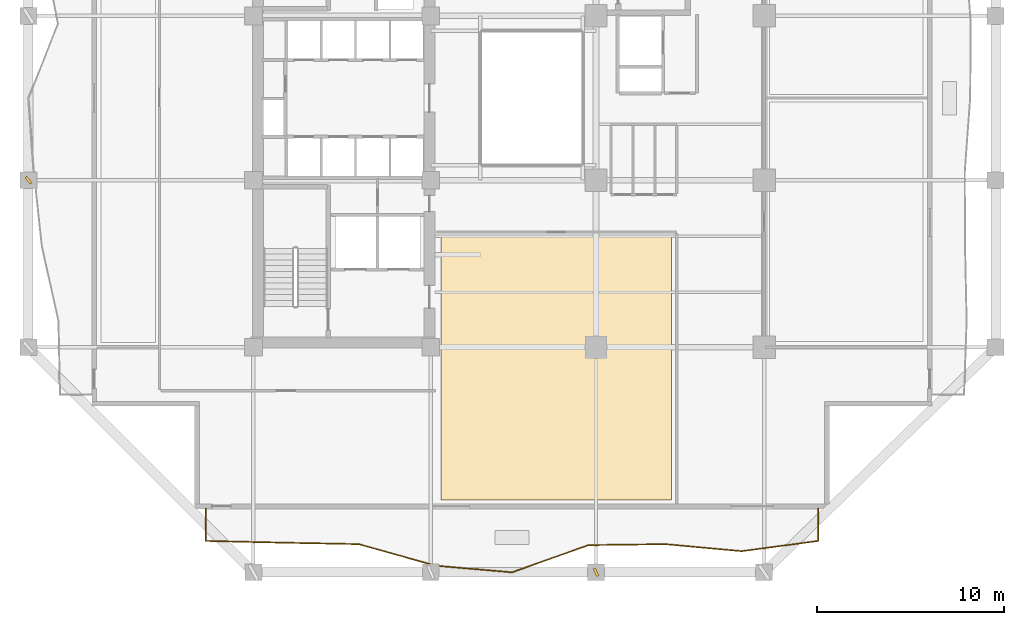
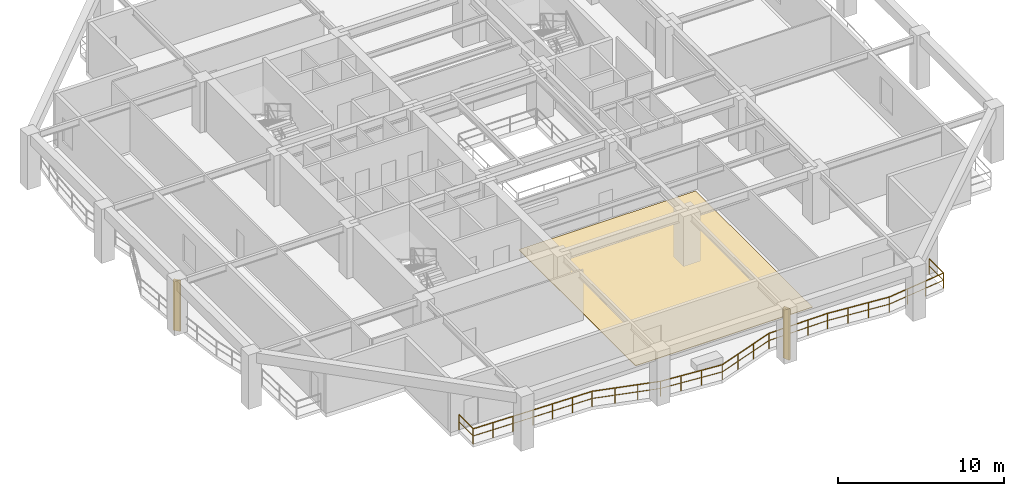
# One storey, part 7 of 13: 2 shading devices, 1 covering, 1 railing.
"""IFC4 building model written with IfcOpenShell, lengths in metres."""

from ifc_helpers import new_model, si_unit, direction, frame, origin, origin_2d, place, context, subcontext, project, spatial, polyline, rectangle, outline, extrude, material, layer, layer_set, type_object, element, save


model = new_model("IFC4")

# Units and contexts
model_context = context("Model", 3, precision=1e-05, world=origin(), true_north=direction((0.0, 1.0)))
body_context = subcontext(model_context, "Body", "Model", "MODEL_VIEW")
ifc_project = project(units=[si_unit("LENGTHUNIT", "METRE"), si_unit("AREAUNIT", "SQUARE_METRE"), si_unit("VOLUMEUNIT", "CUBIC_METRE"), si_unit("PLANEANGLEUNIT", "RADIAN"), si_unit("MASSUNIT", "GRAM", prefix="KILO")], contexts=[model_context])

# Site, building, storey
site_placement = place(None, origin())
site = spatial("IfcSite", under=ifc_project, at=site_placement, CompositionType="ELEMENT")
building_placement = place(site_placement, origin())
building = spatial("IfcBuilding", under=site, at=building_placement, Name="Kundavana Baori Tower", CompositionType="ELEMENT")
storey_placement = place(building_placement, frame((0.0, 0.0, 34.0)))
storey = spatial("IfcBuildingStorey", under=building, at=storey_placement, Name="L07", CompositionType="ELEMENT", Elevation=34.0)

# Covering
ifc_material_1 = material(Name="Honed Kota Stone and Terrazzo Flooring", Category="masonry")
ifc_layer = layer(ifc_material_1, 0.0400390625, Name="COV-FLR-TERR-40")
ifc_layer_set = layer_set([ifc_layer], Name="Honed Kota Stone and Terrazzo Flooring")
covering_type = type_object("IfcCoveringType", Name="COV-FLR-TERR-40", PredefinedType="FLOORING", material=ifc_layer_set)
covering_placement = place(storey_placement, origin())
element("IfcCovering", 1, at=covering_placement, inside=storey, type_object=covering_type, Name="L07 Room Finished Stone Flooring 2", PredefinedType="FLOORING", context=body_context, shape_type="SweptSolid", body=[
    extrude(outline(polyline([(25.5, 7.080078125), (37.840087890625, 7.080078125), (37.840087890625, 21.199951171875), (25.5, 21.199951171875), (25.5, 7.080078125)])), origin(), (0.0, 0.0, 1.0), 0.0400390625),
])

# Railing
ifc_material_2 = material(Name="Architectural Patinated Bronze Metalwork")
railing_type = type_object("IfcRailingType", Name="RL-BAL-1150", PredefinedType="BALUSTRADE", material=ifc_material_2)
railing_placement = place(storey_placement, frame((45.699951171875, 6.60009765625, 0.0)))
element("IfcRailing", 2, at=railing_placement, inside=storey, type_object=railing_type, Name="L07 Loggia Balcony Balustrade S", PredefinedType="BALUSTRADE", context=body_context, shape_type="SweptSolid", body=[
    extrude(rectangle(XDim=0.048095703125, YDim=0.048095703125, at=origin_2d()), frame((0.0, 0.0, 1.1259765625), z_axis=(0.0, -1.0, 0.0), x_axis=(1.0, 0.0, 0.0)), (0.0, 0.0, 1.0), 1.72021484375),
    extrude(rectangle(XDim=0.03125, YDim=0.03125, at=origin_2d()), frame((0.0, 0.0, 0.597900390625), z_axis=(0.0, -1.0, 0.0), x_axis=(1.0, 0.0, 0.0)), (0.0, 0.0, 1.0), 1.72021484375),
    extrude(rectangle(XDim=0.048095703125, YDim=0.048095703125, at=origin_2d()), frame((0.0, -1.72021484375, 1.1259765625), z_axis=(-0.991158691367, -0.132681756577, 0.0), x_axis=(0.132681756577, -0.991158691367, 0.0)), (0.0, 0.0, 1.0), 4.136474609375),
    extrude(rectangle(XDim=0.03125, YDim=0.03125, at=origin_2d()), frame((0.0, -1.72021484375, 0.597900390625), z_axis=(-0.991158691367, -0.132681756577, 0.0), x_axis=(0.132681756577, -0.991158691367, 0.0)), (0.0, 0.0, 1.0), 4.136474609375),
    extrude(rectangle(XDim=0.048095703125, YDim=0.048095703125, at=origin_2d()), frame((-4.099853515625, -2.26904296875, 1.1259765625), z_axis=(-0.995843480493, 0.091081075744, 0.0), x_axis=(-0.091081075744, -0.995843480493, 0.0)), (0.0, 0.0, 1.0), 4.1171875),
    extrude(rectangle(XDim=0.03125, YDim=0.03125, at=origin_2d()), frame((-4.099853515625, -2.26904296875, 0.597900390625), z_axis=(-0.995843480493, 0.091081075744, 0.0), x_axis=(-0.091081075744, -0.995843480493, 0.0)), (0.0, 0.0, 1.0), 4.1171875),
    extrude(rectangle(XDim=0.048095703125, YDim=0.048095703125, at=origin_2d()), frame((-8.199951171875, -1.89404296875, 1.1259765625), z_axis=(-0.999916530695, -0.01292020288, 0.0), x_axis=(0.01292020288, -0.999916530695, 0.0)), (0.0, 0.0, 1.0), 4.100341796875),
    extrude(rectangle(XDim=0.03125, YDim=0.03125, at=origin_2d()), frame((-8.199951171875, -1.89404296875, 0.597900390625), z_axis=(-0.999916530695, -0.01292020288, 0.0), x_axis=(0.01292020288, -0.999916530695, 0.0)), (0.0, 0.0, 1.0), 4.100341796875),
    extrude(rectangle(XDim=0.048095703125, YDim=0.048095703125, at=origin_2d()), frame((-12.300048828125, -1.947021484375, 1.1259765625), z_axis=(-0.942548083463, -0.334070517047, 0.0), x_axis=(0.334070517047, -0.942548083463, 0.0)), (0.0, 0.0, 1.0), 4.349853515625),
    extrude(rectangle(XDim=0.03125, YDim=0.03125, at=origin_2d()), frame((-12.300048828125, -1.947021484375, 0.597900390625), z_axis=(-0.942548083463, -0.334070517047, 0.0), x_axis=(0.334070517047, -0.942548083463, 0.0)), (0.0, 0.0, 1.0), 4.349853515625),
    extrude(rectangle(XDim=0.048095703125, YDim=0.048095703125, at=origin_2d()), frame((-16.39990234375, -3.400146484375, 1.1259765625), z_axis=(-0.996273017827, 0.08625586328, 0.0), x_axis=(-0.08625586328, -0.996273017827, 0.0)), (0.0, 0.0, 1.0), 4.115478515625),
    extrude(rectangle(XDim=0.03125, YDim=0.03125, at=origin_2d()), frame((-16.39990234375, -3.400146484375, 0.597900390625), z_axis=(-0.996273017827, 0.08625586328, 0.0), x_axis=(-0.08625586328, -0.996273017827, 0.0)), (0.0, 0.0, 1.0), 4.115478515625),
    extrude(rectangle(XDim=0.048095703125, YDim=0.048095703125, at=origin_2d()), frame((-20.5, -3.045166015625, 1.1259765625), z_axis=(-0.962770852981, 0.27031885737, 0.0), x_axis=(-0.27031885737, -0.962770852981, 0.0)), (0.0, 0.0, 1.0), 4.25830078125),
    extrude(rectangle(XDim=0.03125, YDim=0.03125, at=origin_2d()), frame((-20.5, -3.045166015625, 0.597900390625), z_axis=(-0.962770852981, 0.27031885737, 0.0), x_axis=(-0.27031885737, -0.962770852981, 0.0)), (0.0, 0.0, 1.0), 4.25830078125),
    extrude(rectangle(XDim=0.048095703125, YDim=0.048095703125, at=origin_2d()), frame((-24.599853515625, -1.89404296875, 1.1259765625), z_axis=(-0.999810489297, 0.01946754972, 0.0), x_axis=(-0.01946754972, -0.999810489297, 0.0)), (0.0, 0.0, 1.0), 4.100830078125),
    extrude(rectangle(XDim=0.03125, YDim=0.03125, at=origin_2d()), frame((-24.599853515625, -1.89404296875, 0.597900390625), z_axis=(-0.999810489297, 0.01946754972, 0.0), x_axis=(-0.01946754972, -0.999810489297, 0.0)), (0.0, 0.0, 1.0), 4.100830078125),
    extrude(rectangle(XDim=0.048095703125, YDim=0.048095703125, at=origin_2d()), frame((-28.699951171875, -1.814208984375, 1.1259765625), z_axis=(-0.999737329062, 0.022918832422, 0.0), x_axis=(-0.022918832422, -0.999737329062, 0.0)), (0.0, 0.0, 1.0), 4.10107421875),
    extrude(rectangle(XDim=0.03125, YDim=0.03125, at=origin_2d()), frame((-28.699951171875, -1.814208984375, 0.597900390625), z_axis=(-0.999737329062, 0.022918832422, 0.0), x_axis=(-0.022918832422, -0.999737329062, 0.0)), (0.0, 0.0, 1.0), 4.10107421875),
    extrude(rectangle(XDim=0.048095703125, YDim=0.048095703125, at=origin_2d()), frame((-32.800048828125, -1.72021484375, 1.1259765625), z_axis=(0.0, 1.0, 0.0), x_axis=(-1.0, 0.0, 0.0)), (0.0, 0.0, 1.0), 1.72021484375),
    extrude(rectangle(XDim=0.03125, YDim=0.03125, at=origin_2d()), frame((-32.800048828125, -1.72021484375, 0.597900390625), z_axis=(0.0, 1.0, 0.0), x_axis=(-1.0, 0.0, 0.0)), (0.0, 0.0, 1.0), 1.72021484375),
    extrude(rectangle(XDim=0.0419921875, YDim=0.0419921875, at=origin_2d()), origin(), (0.0, 0.0, 1.0), 1.101806640625),
    extrude(rectangle(XDim=0.0419921875, YDim=0.0419921875, at=origin_2d()), frame((0.0, -1.72021484375, 0.0)), (0.0, 0.0, 1.0), 1.101806640625),
    extrude(rectangle(XDim=0.0419921875, YDim=0.0419921875, at=origin_2d()), frame((-1.36669921875, -1.903076171875, 0.0)), (0.0, 0.0, 1.0), 1.101806640625),
    extrude(rectangle(XDim=0.0419921875, YDim=0.0419921875, at=origin_2d()), frame((-2.733154296875, -2.086181640625, 0.0)), (0.0, 0.0, 1.0), 1.101806640625),
    extrude(rectangle(XDim=0.0419921875, YDim=0.0419921875, at=origin_2d()), frame((-4.099853515625, -2.26904296875, 0.0)), (0.0, 0.0, 1.0), 1.101806640625),
    extrude(rectangle(XDim=0.0419921875, YDim=0.0419921875, at=origin_2d()), frame((-5.466552734375, -2.14404296875, 0.0)), (0.0, 0.0, 1.0), 1.101806640625),
    extrude(rectangle(XDim=0.0419921875, YDim=0.0419921875, at=origin_2d()), frame((-6.833251953125, -2.01904296875, 0.0)), (0.0, 0.0, 1.0), 1.101806640625),
    extrude(rectangle(XDim=0.0419921875, YDim=0.0419921875, at=origin_2d()), frame((-8.199951171875, -1.89404296875, 0.0)), (0.0, 0.0, 1.0), 1.101806640625),
    extrude(rectangle(XDim=0.0419921875, YDim=0.0419921875, at=origin_2d()), frame((-9.566650390625, -1.91162109375, 0.0)), (0.0, 0.0, 1.0), 1.101806640625),
    extrude(rectangle(XDim=0.0419921875, YDim=0.0419921875, at=origin_2d()), frame((-10.933349609375, -1.929443359375, 0.0)), (0.0, 0.0, 1.0), 1.101806640625),
    extrude(rectangle(XDim=0.0419921875, YDim=0.0419921875, at=origin_2d()), frame((-12.300048828125, -1.947021484375, 0.0)), (0.0, 0.0, 1.0), 1.101806640625),
    extrude(rectangle(XDim=0.0419921875, YDim=0.0419921875, at=origin_2d()), frame((-13.666748046875, -2.431396484375, 0.0)), (0.0, 0.0, 1.0), 1.101806640625),
    extrude(rectangle(XDim=0.0419921875, YDim=0.0419921875, at=origin_2d()), frame((-15.033203125, -2.915771484375, 0.0)), (0.0, 0.0, 1.0), 1.101806640625),
    extrude(rectangle(XDim=0.0419921875, YDim=0.0419921875, at=origin_2d()), frame((-16.39990234375, -3.400146484375, 0.0)), (0.0, 0.0, 1.0), 1.101806640625),
    extrude(rectangle(XDim=0.0419921875, YDim=0.0419921875, at=origin_2d()), frame((-17.7666015625, -3.28173828125, 0.0)), (0.0, 0.0, 1.0), 1.101806640625),
    extrude(rectangle(XDim=0.0419921875, YDim=0.0419921875, at=origin_2d()), frame((-19.13330078125, -3.16357421875, 0.0)), (0.0, 0.0, 1.0), 1.101806640625),
    extrude(rectangle(XDim=0.0419921875, YDim=0.0419921875, at=origin_2d()), frame((-20.5, -3.045166015625, 0.0)), (0.0, 0.0, 1.0), 1.101806640625),
    extrude(rectangle(XDim=0.0419921875, YDim=0.0419921875, at=origin_2d()), frame((-21.86669921875, -2.661376953125, 0.0)), (0.0, 0.0, 1.0), 1.101806640625),
    extrude(rectangle(XDim=0.0419921875, YDim=0.0419921875, at=origin_2d()), frame((-23.233154296875, -2.27783203125, 0.0)), (0.0, 0.0, 1.0), 1.101806640625),
    extrude(rectangle(XDim=0.0419921875, YDim=0.0419921875, at=origin_2d()), frame((-24.599853515625, -1.89404296875, 0.0)), (0.0, 0.0, 1.0), 1.101806640625),
    extrude(rectangle(XDim=0.0419921875, YDim=0.0419921875, at=origin_2d()), frame((-25.966552734375, -1.867431640625, 0.0)), (0.0, 0.0, 1.0), 1.101806640625),
    extrude(rectangle(XDim=0.0419921875, YDim=0.0419921875, at=origin_2d()), frame((-27.333251953125, -1.8408203125, 0.0)), (0.0, 0.0, 1.0), 1.101806640625),
    extrude(rectangle(XDim=0.0419921875, YDim=0.0419921875, at=origin_2d()), frame((-28.699951171875, -1.814208984375, 0.0)), (0.0, 0.0, 1.0), 1.101806640625),
    extrude(rectangle(XDim=0.0419921875, YDim=0.0419921875, at=origin_2d()), frame((-30.066650390625, -1.782958984375, 0.0)), (0.0, 0.0, 1.0), 1.101806640625),
    extrude(rectangle(XDim=0.0419921875, YDim=0.0419921875, at=origin_2d()), frame((-31.433349609375, -1.75146484375, 0.0)), (0.0, 0.0, 1.0), 1.101806640625),
    extrude(rectangle(XDim=0.0419921875, YDim=0.0419921875, at=origin_2d()), frame((-32.800048828125, -1.72021484375, 0.0)), (0.0, 0.0, 1.0), 1.101806640625),
    extrude(rectangle(XDim=0.0419921875, YDim=0.0419921875, at=origin_2d()), frame((-32.800048828125, 0.0, 0.0)), (0.0, 0.0, 1.0), 1.101806640625),
])

# Shading devices
ifc_material_3 = material(Name="Architectural Patinated Bronze Metalwork")
shading_device_type = type_object("IfcShadingDeviceType", Name="SHD-LOUV-450", PredefinedType="SHUTTER", material=ifc_material_3)
for number, where, z_axis, x_axis, name in (
    (3, (33.800048828125, 3.199951171875, 0.0), (0.0, 0.0, 1.0), (0.909236109047, 0.41628079226, 0.0), "L07 Sweeping Dholpur Sandstone Facade Fin 3"),
    (4, (3.39990234375, 24.199951171875, 0.0), (0.0, 0.0, 1.0), (0.762894055451, 0.646523518642, 0.0), "L07 Sweeping Dholpur Sandstone Facade Fin 6"),
):
    element("IfcShadingDevice", number, at=place(storey_placement, frame(where, z_axis=z_axis, x_axis=x_axis)), inside=storey, type_object=shading_device_type, Name=name, PredefinedType="SHUTTER", context=body_context, shape_type="SweptSolid", body=[
        extrude(rectangle(XDim=0.139892578125, YDim=0.449951171875, at=origin_2d()), origin(), (0.0, 0.0, 1.0), 3.719970703125),
    ])

save(model, "model.ifc")
